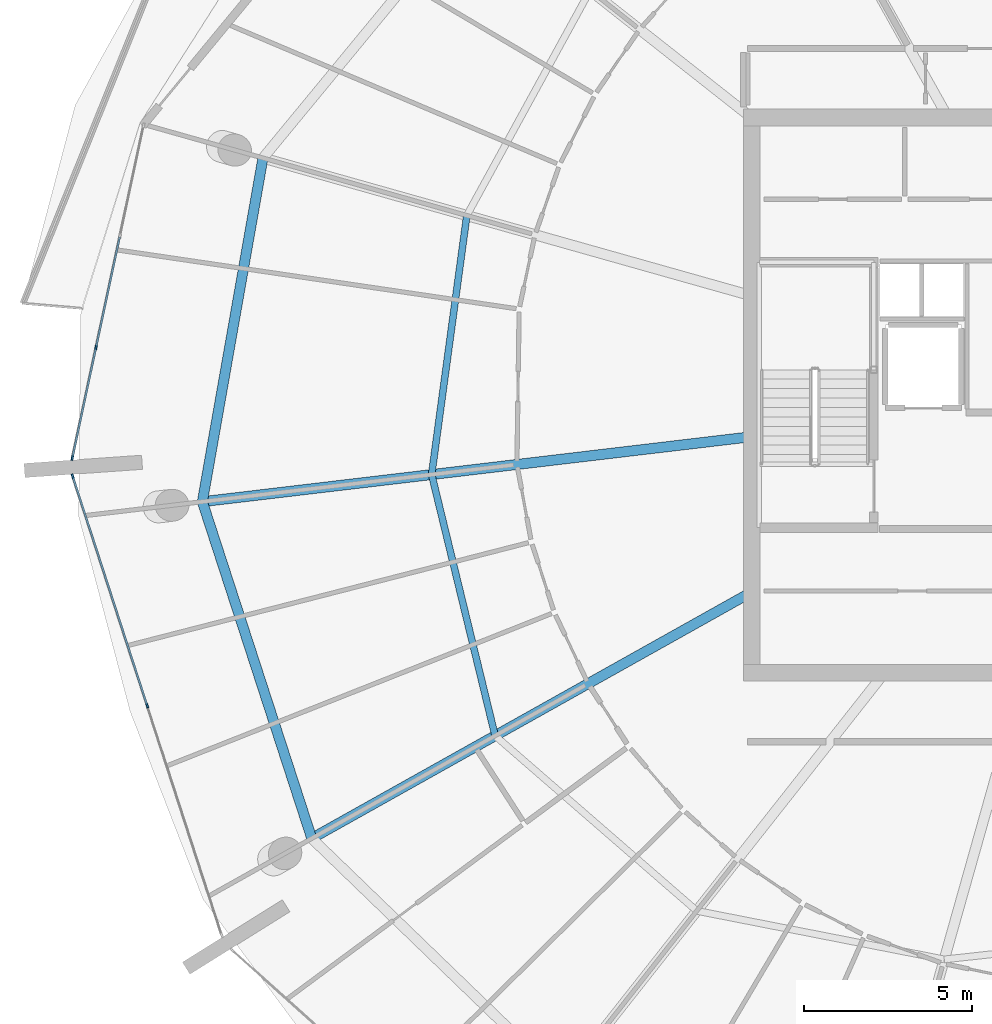
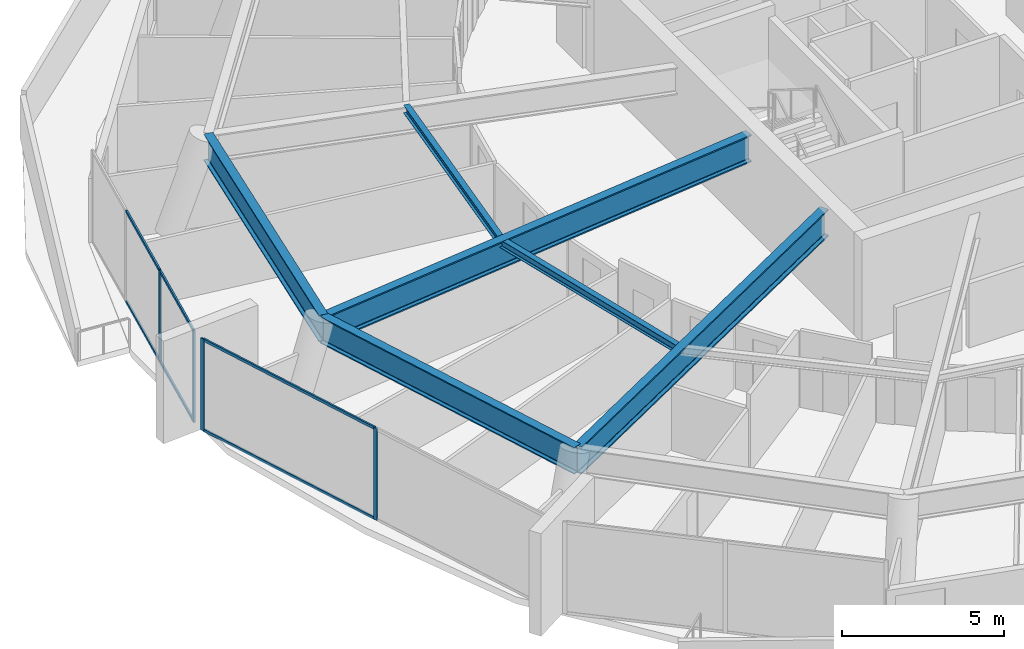
# One storey, part 8 of 30: 10 members, 6 beams, 2 elements without a shape of their own.
"""IFC4 building model written with IfcOpenShell, lengths in metres."""

from ifc_helpers import new_model, si_unit, direction, frame, origin, origin_2d, place, context, subcontext, project, spatial, rectangle, i_section, extrude, material, layer, layer_set, material_profile, profile_set, type_object, element, aggregate, save


model = new_model("IFC4")

# Units and contexts
model_context = context("Model", 3, precision=1e-05, world=origin(), true_north=direction((0.0, 1.0)))
body_context = subcontext(model_context, "Body", "Model", "MODEL_VIEW")
ifc_project = project(units=[si_unit("LENGTHUNIT", "METRE"), si_unit("AREAUNIT", "SQUARE_METRE"), si_unit("VOLUMEUNIT", "CUBIC_METRE"), si_unit("PLANEANGLEUNIT", "RADIAN"), si_unit("MASSUNIT", "GRAM", prefix="KILO")], contexts=[model_context])

# Site, building, storey
site_placement = place(None, origin())
site = spatial("IfcSite", under=ifc_project, at=site_placement, CompositionType="ELEMENT")
building_placement = place(site_placement, origin())
building = spatial("IfcBuilding", under=site, at=building_placement, Name="Kazma Halo Residences", CompositionType="ELEMENT")
storey_placement = place(building_placement, frame((0.0, 0.0, 302.14990234375)))
storey = spatial("IfcBuildingStorey", under=building, at=storey_placement, Name="L76", CompositionType="ELEMENT", Elevation=302.14990234375)

# Beams
ifc_material_1 = material(Name="Steel S355", Category="steel")
ifc_material_profile_1 = material_profile(ifc_material_1, i_section(OverallWidth=0.202880859375, OverallDepth=0.302978515625, WebThickness=0.007568359375, FlangeThickness=0.01318359375, FilletRadius=0.013916015625, at=origin_2d()), Name="W310x60")
ifc_profile_set_1 = profile_set([ifc_material_profile_1], Name="Steel S355")
beam_type_1 = type_object("IfcBeamType", Name="BM-SEC-W310A", PredefinedType="JOIST", material=ifc_profile_set_1)
beam_1_placement = place(storey_placement, frame((29.086669921875, 47.333984375, 3.298583984375), z_axis=(-0.13447353506, -0.990917185424, 0.0), x_axis=(0.990917185424, -0.13447353506, 0.0)))
element("IfcBeam", 1, at=beam_1_placement, inside=storey, type_object=beam_type_1, Name="L76 circumferential floor joist 07", PredefinedType="JOIST", context=body_context, shape_type="SweptSolid", body=[
    extrude(i_section(OverallWidth=0.202880859375, OverallDepth=0.302978515625, WebThickness=0.007568359375, FlangeThickness=0.01318359375, FilletRadius=0.013916015625, at=origin_2d()), origin(), (0.0, 0.0, 1.0), 7.766845703125),
])
beam_2_placement = place(storey_placement, frame((28.042236328125, 39.6376953125, 3.298583984375), z_axis=(0.236112821165, -0.97172564836, 0.0), x_axis=(0.97172564836, 0.236112821165, 0.0)))
element("IfcBeam", 2, at=beam_2_placement, inside=storey, type_object=beam_type_1, Name="L76 circumferential floor joist 08", PredefinedType="JOIST", context=body_context, shape_type="SweptSolid", body=[
    extrude(i_section(OverallWidth=0.202880859375, OverallDepth=0.302978515625, WebThickness=0.007568359375, FlangeThickness=0.01318359375, FilletRadius=0.013916015625, at=origin_2d()), origin(), (0.0, 0.0, 1.0), 7.984619140625),
])
ifc_material_profile_2 = material_profile(ifc_material_1, i_section(OverallWidth=0.302001953125, OverallDepth=1.01806640625, WebThickness=0.021484375, FlangeThickness=0.049072265625, FilletRadius=0.028076171875, at=origin_2d()), Name="W1000x443")
ifc_profile_set_2 = profile_set([ifc_material_profile_2], Name="Steel S355")
beam_type_2 = type_object("IfcBeamType", Name="BM-TRANS-W1000A", PredefinedType="BEAM", material=ifc_profile_set_2)
beam_3_placement = place(storey_placement, frame((37.449951171875, 40.751220703125, 2.941162109375), z_axis=(-0.993069045147, -0.117532427743, 0.0), x_axis=(0.117532427743, -0.993069045147, 0.0)))
element("IfcBeam", 3, at=beam_3_placement, inside=storey, type_object=beam_type_2, Name="L76 podium radial transfer girder 08", PredefinedType="BEAM", context=body_context, shape_type="SweptSolid", body=[
    extrude(i_section(OverallWidth=0.302001953125, OverallDepth=1.01806640625, WebThickness=0.021484375, FlangeThickness=0.049072265625, FilletRadius=0.028076171875, at=origin_2d()), origin(), (0.0, 0.0, 1.0), 16.333251953125),
])
beam_4_placement = place(storey_placement, frame((37.449951171875, 36.091796875, 2.941162109375), z_axis=(-0.87249509324, -0.488622873259, 0.0), x_axis=(0.488622873259, -0.87249509324, 0.0)))
element("IfcBeam", 4, at=beam_4_placement, inside=storey, type_object=beam_type_2, Name="L76 podium radial transfer girder 09", PredefinedType="BEAM", context=body_context, shape_type="SweptSolid", body=[
    extrude(i_section(OverallWidth=0.302001953125, OverallDepth=1.01806640625, WebThickness=0.021484375, FlangeThickness=0.049072265625, FilletRadius=0.028076171875, at=origin_2d()), origin(), (0.0, 0.0, 1.0), 14.864990234375),
])
ifc_material_profile_3 = material_profile(ifc_material_1, i_section(OverallWidth=0.300048828125, OverallDepth=1.0, WebThickness=0.01904296875, FlangeThickness=0.0400390625, FilletRadius=0.02587890625, at=origin_2d()), Name="W1000x371")
ifc_profile_set_3 = profile_set([ifc_material_profile_3], Name="Steel S355")
beam_type_3 = type_object("IfcBeamType", Name="BM-TRANS-W1000B", PredefinedType="BEAM", material=ifc_profile_set_3)
beam_5_placement = place(storey_placement, frame((23.0302734375, 49.042236328125, 2.9501953125), z_axis=(-0.173636226699, -0.984809860216, 0.0), x_axis=(0.984809860216, -0.173636226699, 0.0)))
element("IfcBeam", 5, at=beam_5_placement, inside=storey, type_object=beam_type_3, Name="L76 perimeter ring beam 07", PredefinedType="BEAM", context=body_context, shape_type="SweptSolid", body=[
    extrude(i_section(OverallWidth=0.300048828125, OverallDepth=1.0, WebThickness=0.01904296875, FlangeThickness=0.0400390625, FilletRadius=0.02587890625, at=origin_2d()), origin(), (0.0, 0.0, 1.0), 10.3681640625),
])
beam_6_placement = place(storey_placement, frame((21.22998046875, 38.83154296875, 2.9501953125), z_axis=(0.309018365076, -0.951056070926, 0.0), x_axis=(0.951056070926, 0.309018365076, 0.0)))
element("IfcBeam", 6, at=beam_6_placement, inside=storey, type_object=beam_type_3, Name="L76 perimeter ring beam 08", PredefinedType="BEAM", context=body_context, shape_type="SweptSolid", body=[
    extrude(i_section(OverallWidth=0.300048828125, OverallDepth=1.0, WebThickness=0.01904296875, FlangeThickness=0.0400390625, FilletRadius=0.02587890625, at=origin_2d()), origin(), (0.0, 0.0, 1.0), 10.51806640625),
])

# Curtain wall, members
ifc_material_2 = material(Name="Aluminium AW-6063 T6 and Triple-Silver Low-E Glass", Category="aluminium")
ifc_layer = layer(ifc_material_2, 0.139892578125)
ifc_layer_set = layer_set([ifc_layer], Name="Aluminium AW-6063 T6 and Triple-Silver Low-E Glass")
curtain_wall_type = type_object("IfcCurtainWallType", Name="CW-SYS-5", PredefinedType="NOTDEFINED", material=ifc_layer_set)
curtain_wall_1_placement = place(storey_placement, origin())
curtain_wall_1 = element("IfcCurtainWall", 7, at=curtain_wall_1_placement, inside=storey, type_object=curtain_wall_type, Name="L76 unitised curtain wall B07", PredefinedType="NOTDEFINED")
ifc_material_3 = material(Name="Aluminium AW-6063 T6", Category="aluminium")
ifc_material_profile_4 = material_profile(ifc_material_3, rectangle(XDim=0.06005859375, YDim=0.139892578125, at=origin_2d()), Name="CWM-60x140")
ifc_profile_set_4 = profile_set([ifc_material_profile_4], Name="Aluminium AW-6063 T6")
member_type_1 = type_object("IfcMemberType", Name="CW-SYS-5-MUL", PredefinedType="MULLION", material=ifc_profile_set_4)
member_1_placement = place(storey_placement, frame((18.0703125, 43.412841796875, 0.0), z_axis=(0.0, 0.0, 1.0), x_axis=(0.97777491373, -0.209657382603, 0.0)))
member_1 = element("IfcMember", 8, at=member_1_placement, type_object=member_type_1, Name="CWS-5 mullion 3", PredefinedType="MULLION", context=body_context, shape_type="SweptSolid", body=[
    extrude(rectangle(XDim=0.06005859375, YDim=0.139892578125, at=origin_2d()), origin(), (0.0, 0.0, 1.0), 3.4501953125),
])
member_2_placement = place(storey_placement, frame((17.3662109375, 40.12841796875, 0.0), z_axis=(0.0, 0.0, 1.0), x_axis=(0.97777491373, -0.209657382603, 0.0)))
member_2 = element("IfcMember", 9, at=member_2_placement, type_object=member_type_1, Name="CWS-5 mullion 4", PredefinedType="MULLION", context=body_context, shape_type="SweptSolid", body=[
    extrude(rectangle(XDim=0.06005859375, YDim=0.139892578125, at=origin_2d()), origin(), (0.0, 0.0, 1.0), 3.4501953125),
])

curtain_wall_2_placement = place(storey_placement, origin())
curtain_wall_2 = element("IfcCurtainWall", 10, at=curtain_wall_2_placement, inside=storey, type_object=curtain_wall_type, Name="L76 unitised curtain wall B08", PredefinedType="NOTDEFINED")
member_3_placement = place(storey_placement, frame((17.377197265625, 39.587646484375, 0.0), z_axis=(0.0, 0.0, 1.0), x_axis=(0.951058464359, 0.309010998786, 0.0)))
member_3 = element("IfcMember", 11, at=member_3_placement, type_object=member_type_1, Name="CWS-5 mullion 1", PredefinedType="MULLION", context=body_context, shape_type="SweptSolid", body=[
    extrude(rectangle(XDim=0.06005859375, YDim=0.139892578125, at=origin_2d()), origin(), (0.0, 0.0, 1.0), 3.4501953125),
])
member_4_placement = place(storey_placement, frame((19.59228515625, 32.769775390625, 0.0), z_axis=(0.0, 0.0, 1.0), x_axis=(0.951058464359, 0.309010998786, 0.0)))
member_4 = element("IfcMember", 12, at=member_4_placement, type_object=member_type_1, Name="CWS-5 mullion 2", PredefinedType="MULLION", context=body_context, shape_type="SweptSolid", body=[
    extrude(rectangle(XDim=0.06005859375, YDim=0.139892578125, at=origin_2d()), origin(), (0.0, 0.0, 1.0), 3.4501953125),
])

# Member
ifc_material_profile_5 = material_profile(ifc_material_3, rectangle(XDim=0.06005859375, YDim=0.10498046875, at=origin_2d()), Name="CWT-60x105")
ifc_profile_set_5 = profile_set([ifc_material_profile_5], Name="Aluminium AW-6063 T6")
member_type_2 = type_object("IfcMemberType", Name="CW-SYS-5-TRN", PredefinedType="USERDEFINED", material=ifc_profile_set_5)
member_5_placement = place(storey_placement, frame((18.774658203125, 46.697265625, 0.030029296875), z_axis=(-0.209664309019, -0.977773428522, 0.0), x_axis=(0.977773428522, -0.209664309019, 0.0)))
member_5 = element("IfcMember", 13, at=member_5_placement, type_object=member_type_2, Name="CWS-5 transom 2.1", ObjectType="TRANSOM", PredefinedType="USERDEFINED", context=body_context, shape_type="SweptSolid", body=[
    extrude(rectangle(XDim=0.06005859375, YDim=0.10498046875, at=origin_2d()), origin(), (0.0, 0.0, 1.0), 3.3291015625),
])

member_6_placement = place(storey_placement, frame((18.774658203125, 46.697265625, 3.420166015625), z_axis=(-0.209664309019, -0.977773428522, 0.0), x_axis=(0.977773428522, -0.209664309019, 0.0)))
member_6 = element("IfcMember", 14, at=member_6_placement, type_object=member_type_2, Name="CWS-5 transom 2.2", ObjectType="TRANSOM", PredefinedType="USERDEFINED", context=body_context, shape_type="SweptSolid", body=[
    extrude(rectangle(XDim=0.06005859375, YDim=0.10498046875, at=origin_2d()), origin(), (0.0, 0.0, 1.0), 3.3291015625),
])

member_7_placement = place(storey_placement, frame((18.064208984375, 43.383544921875, 0.030029296875), z_axis=(-0.209645323239, -0.977777499457, 0.0), x_axis=(0.977777499457, -0.209645323239, 0.0)))
member_7 = element("IfcMember", 15, at=member_7_placement, type_object=member_type_2, Name="CWS-5 transom 3.1", ObjectType="TRANSOM", PredefinedType="USERDEFINED", context=body_context, shape_type="SweptSolid", body=[
    extrude(rectangle(XDim=0.06005859375, YDim=0.10498046875, at=origin_2d()), origin(), (0.0, 0.0, 1.0), 3.299072265625),
])

member_8_placement = place(storey_placement, frame((18.064208984375, 43.383544921875, 3.420166015625), z_axis=(-0.209645323239, -0.977777499457, 0.0), x_axis=(0.977777499457, -0.209645323239, 0.0)))
member_8 = element("IfcMember", 16, at=member_8_placement, type_object=member_type_2, Name="CWS-5 transom 3.2", ObjectType="TRANSOM", PredefinedType="USERDEFINED", context=body_context, shape_type="SweptSolid", body=[
    extrude(rectangle(XDim=0.06005859375, YDim=0.10498046875, at=origin_2d()), origin(), (0.0, 0.0, 1.0), 3.299072265625),
])

aggregate(curtain_wall_1, [member_1, member_2, member_5, member_6, member_7, member_8])

member_9_placement = place(storey_placement, frame((17.386474609375, 39.55908203125, 0.030029296875), z_axis=(0.308995987448, -0.951063341603, 0.0), x_axis=(0.951063341603, 0.308995987448, 0.0)))
member_9 = element("IfcMember", 17, at=member_9_placement, type_object=member_type_2, Name="CWS-5 transom 1.1", ObjectType="TRANSOM", PredefinedType="USERDEFINED", context=body_context, shape_type="SweptSolid", body=[
    extrude(rectangle(XDim=0.06005859375, YDim=0.10498046875, at=origin_2d()), origin(), (0.0, 0.0, 1.0), 7.108642578125),
])

member_10_placement = place(storey_placement, frame((17.386474609375, 39.55908203125, 3.420166015625), z_axis=(0.308995987448, -0.951063341603, 0.0), x_axis=(0.951063341603, 0.308995987448, 0.0)))
member_10 = element("IfcMember", 18, at=member_10_placement, type_object=member_type_2, Name="CWS-5 transom 1.2", ObjectType="TRANSOM", PredefinedType="USERDEFINED", context=body_context, shape_type="SweptSolid", body=[
    extrude(rectangle(XDim=0.06005859375, YDim=0.10498046875, at=origin_2d()), origin(), (0.0, 0.0, 1.0), 7.108642578125),
])

aggregate(curtain_wall_2, [member_3, member_4, member_9, member_10])

save(model, "model.ifc")
